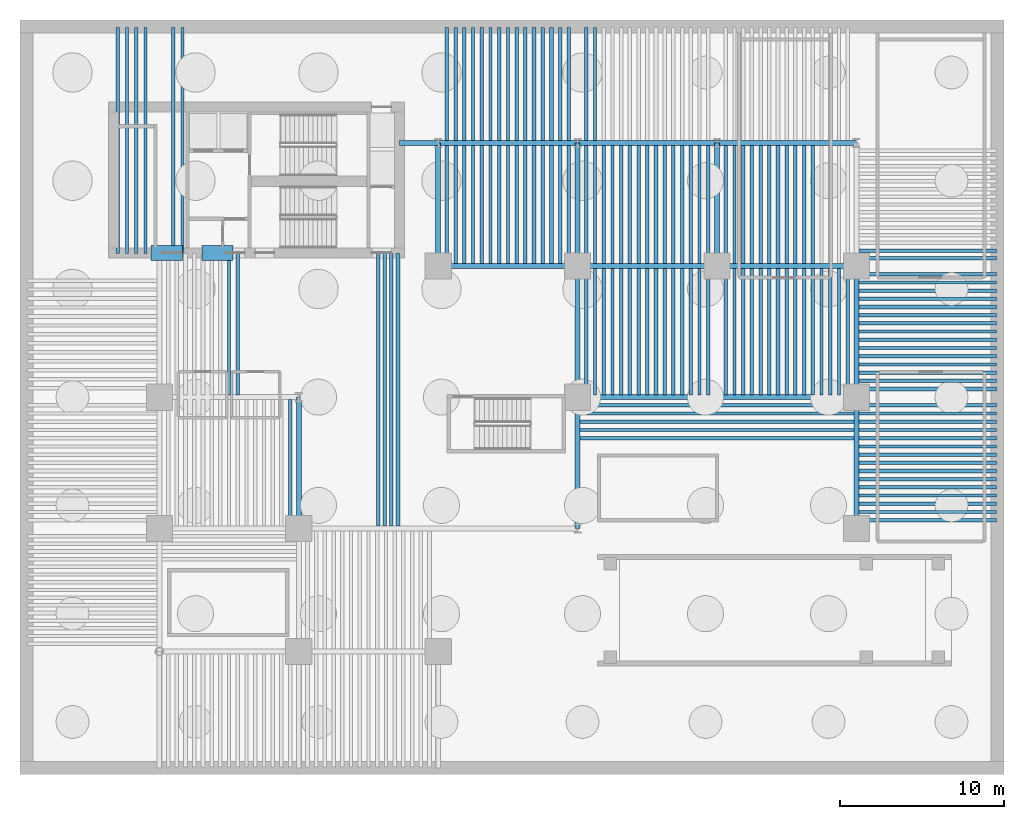
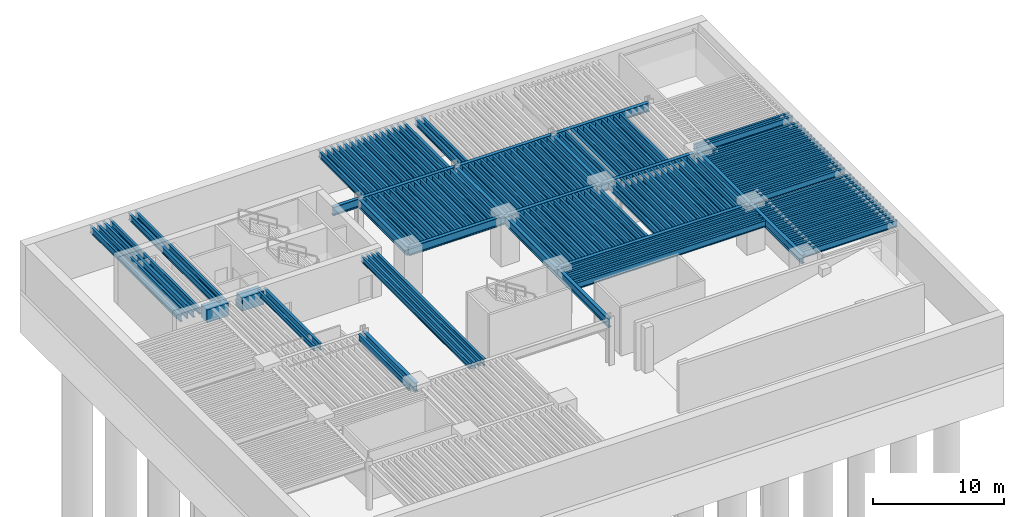
# One storey, part 3 of 11: 156 beams.
"""IFC4 building model written with IfcOpenShell, lengths in metres."""

from ifc_helpers import new_model, si_unit, direction, frame, origin, origin_2d, place, context, subcontext, project, spatial, rectangle, i_section, extrude, material, material_profile, profile_set, type_object, element, save


model = new_model("IFC4")

# Units and contexts
model_context = context("Model", 3, precision=1e-05, world=origin(), true_north=direction((0.0, 1.0)))
body_context = subcontext(model_context, "Body", "Model", "MODEL_VIEW")
ifc_project = project(units=[si_unit("LENGTHUNIT", "METRE"), si_unit("AREAUNIT", "SQUARE_METRE"), si_unit("VOLUMEUNIT", "CUBIC_METRE"), si_unit("PLANEANGLEUNIT", "RADIAN"), si_unit("MASSUNIT", "GRAM", prefix="KILO")], contexts=[model_context])

# Site, building, storey
site_placement = place(None, origin())
site = spatial("IfcSite", under=ifc_project, at=site_placement, CompositionType="ELEMENT")
building_placement = place(site_placement, origin())
building = spatial("IfcBuilding", under=site, at=building_placement, Name="Caeloran Harvest Quay", CompositionType="ELEMENT")
storey_placement = place(building_placement, frame((0.0, 0.0, -18.0)))
storey = spatial("IfcBuildingStorey", under=building, at=storey_placement, Name="B04", CompositionType="ELEMENT", Elevation=-18.0)

# Beams
ifc_material_1 = material(Name="Concrete C80/95", Category="concrete")
ifc_material_profile_1 = material_profile(ifc_material_1, rectangle(XDim=0.89990234375, YDim=1.199951171875, at=origin_2d()), Name="RC 900x1200")
ifc_profile_set_1 = profile_set([ifc_material_profile_1], Name="Concrete C80/95")
beam_type_1 = type_object("IfcBeamType", Name="BM-CB-1-RC_900x1200", PredefinedType="LINTEL", material=ifc_profile_set_1)
for number, where, z_axis, x_axis, name in (
    (1, (8.0, 31.800048828125, 3.534912109375), (1.0, 0.0, 0.0), (0.0, 1.0, 0.0), "B04 Core Coupling Beam 1"),
    (2, (11.10009765625, 31.800048828125, 3.534912109375), (1.0, 0.0, 0.0), (0.0, 1.0, 0.0), "B04 Core Coupling Beam 2"),
):
    element("IfcBeam", number, at=place(storey_placement, frame(where, z_axis=z_axis, x_axis=x_axis)), inside=storey, type_object=beam_type_1, Name=name, PredefinedType="LINTEL", context=body_context, shape_type="SweptSolid", body=[
        extrude(rectangle(XDim=0.89990234375, YDim=1.199951171875, at=origin_2d()), origin(), (0.0, 0.0, 1.0), 1.89990234375),
    ])
ifc_material_2 = material(Name="Steel S355J2", Category="steel")
ifc_material_profile_2 = material_profile(ifc_material_2, i_section(OverallWidth=0.300048828125, OverallDepth=0.800048828125, WebThickness=0.017578125, FlangeThickness=0.032958984375, FilletRadius=0.030029296875, at=origin_2d()), Name="HE 800 B")
ifc_profile_set_2 = profile_set([ifc_material_profile_2], Name="Steel S355J2")
beam_type_2 = type_object("IfcBeamType", Name="BM-PG-1-HE_800_B", PredefinedType="BEAM", material=ifc_profile_set_2)
beam_1_placement = place(storey_placement, frame((34.0, 23.0, 3.735107421875), z_axis=(1.0, 0.0, 0.0), x_axis=(0.0, 1.0, 0.0)))
element("IfcBeam", 3, at=beam_1_placement, inside=storey, type_object=beam_type_2, Name="B04 Primary East-West Girder Y=23.0", PredefinedType="BEAM", context=body_context, shape_type="SweptSolid", body=[
    extrude(i_section(OverallWidth=0.300048828125, OverallDepth=0.800048828125, WebThickness=0.017578125, FlangeThickness=0.032958984375, FilletRadius=0.030029296875, at=origin_2d()), origin(), (0.0, 0.0, 1.0), 17.0),
])
for number, where, z_axis, x_axis, name in (
    (4, (25.5, 31.0, 3.735107421875), (1.0, 0.0, 0.0), (0.0, 1.0, 0.0), "B04 Primary East-West Girder Y=31.0"),
    (5, (34.0, 31.0, 3.735107421875), (1.0, 0.0, 0.0), (0.0, 1.0, 0.0), "B04 Primary East-West Girder Y=31.0"),
    (6, (42.5, 31.0, 3.735107421875), (1.0, 0.0, 0.0), (0.0, 1.0, 0.0), "B04 Primary East-West Girder Y=31.0"),
    (7, (25.5, 38.5, 3.735107421875), (1.0, 0.0, 0.0), (0.0, 1.0, 0.0), "B04 Primary East-West Girder Y=38.5"),
    (8, (34.0, 38.5, 3.735107421875), (1.0, 0.0, 0.0), (0.0, 1.0, 0.0), "B04 Primary East-West Girder Y=38.5"),
    (9, (42.5, 38.5, 3.735107421875), (1.0, 0.0, 0.0), (0.0, 1.0, 0.0), "B04 Primary East-West Girder Y=38.5"),
):
    element("IfcBeam", number, at=place(storey_placement, frame(where, z_axis=z_axis, x_axis=x_axis)), inside=storey, type_object=beam_type_2, Name=name, PredefinedType="BEAM", context=body_context, shape_type="SweptSolid", body=[
        extrude(i_section(OverallWidth=0.300048828125, OverallDepth=0.800048828125, WebThickness=0.017578125, FlangeThickness=0.032958984375, FilletRadius=0.030029296875, at=origin_2d()), origin(), (0.0, 0.0, 1.0), 8.5),
    ])
beam_2_placement = place(storey_placement, frame((23.14990234375, 38.5, 3.735107421875), z_axis=(1.0, 0.0, 0.0), x_axis=(0.0, 1.0, 0.0)))
element("IfcBeam", 10, at=beam_2_placement, inside=storey, type_object=beam_type_2, Name="B04 Core East Tie Girder Y=38.5", PredefinedType="BEAM", context=body_context, shape_type="SweptSolid", body=[
    extrude(i_section(OverallWidth=0.300048828125, OverallDepth=0.800048828125, WebThickness=0.017578125, FlangeThickness=0.032958984375, FilletRadius=0.030029296875, at=origin_2d()), origin(), (0.0, 0.0, 1.0), 2.35009765625),
])
beam_3_placement = place(storey_placement, frame((17.0, 15.0, 3.735107421875), z_axis=(0.0, 1.0, 0.0), x_axis=(-1.0, 0.0, 0.0)))
element("IfcBeam", 11, at=beam_3_placement, inside=storey, type_object=beam_type_2, Name="B04 Primary North-South Girder X=17.0", PredefinedType="BEAM", context=body_context, shape_type="SweptSolid", body=[
    extrude(i_section(OverallWidth=0.300048828125, OverallDepth=0.800048828125, WebThickness=0.017578125, FlangeThickness=0.032958984375, FilletRadius=0.030029296875, at=origin_2d()), origin(), (0.0, 0.0, 1.0), 8.0),
])
beam_4_placement = place(storey_placement, frame((25.5, 31.0, 3.735107421875), z_axis=(0.0, 1.0, 0.0), x_axis=(-1.0, 0.0, 0.0)))
element("IfcBeam", 12, at=beam_4_placement, inside=storey, type_object=beam_type_2, Name="B04 Primary North-South Girder X=25.5", PredefinedType="BEAM", context=body_context, shape_type="SweptSolid", body=[
    extrude(i_section(OverallWidth=0.300048828125, OverallDepth=0.800048828125, WebThickness=0.017578125, FlangeThickness=0.032958984375, FilletRadius=0.030029296875, at=origin_2d()), origin(), (0.0, 0.0, 1.0), 7.5),
])
for number, where, z_axis, x_axis, name in (
    (13, (34.0, 15.0, 3.735107421875), (0.0, 1.0, 0.0), (-1.0, 0.0, 0.0), "B04 Primary North-South Girder X=34.0"),
    (14, (34.0, 23.0, 3.735107421875), (0.0, 1.0, 0.0), (-1.0, 0.0, 0.0), "B04 Primary North-South Girder X=34.0"),
):
    element("IfcBeam", number, at=place(storey_placement, frame(where, z_axis=z_axis, x_axis=x_axis)), inside=storey, type_object=beam_type_2, Name=name, PredefinedType="BEAM", context=body_context, shape_type="SweptSolid", body=[
        extrude(i_section(OverallWidth=0.300048828125, OverallDepth=0.800048828125, WebThickness=0.017578125, FlangeThickness=0.032958984375, FilletRadius=0.030029296875, at=origin_2d()), origin(), (0.0, 0.0, 1.0), 8.0),
    ])
for number, where, z_axis, x_axis, name in (
    (15, (34.0, 31.0, 3.735107421875), (0.0, 1.0, 0.0), (-1.0, 0.0, 0.0), "B04 Primary North-South Girder X=34.0"),
    (16, (42.5, 31.0, 3.735107421875), (0.0, 1.0, 0.0), (-1.0, 0.0, 0.0), "B04 Primary North-South Girder X=42.5"),
):
    element("IfcBeam", number, at=place(storey_placement, frame(where, z_axis=z_axis, x_axis=x_axis)), inside=storey, type_object=beam_type_2, Name=name, PredefinedType="BEAM", context=body_context, shape_type="SweptSolid", body=[
        extrude(i_section(OverallWidth=0.300048828125, OverallDepth=0.800048828125, WebThickness=0.017578125, FlangeThickness=0.032958984375, FilletRadius=0.030029296875, at=origin_2d()), origin(), (0.0, 0.0, 1.0), 7.5),
    ])
for number, where, z_axis, x_axis, name in (
    (17, (51.0, 15.0, 3.735107421875), (0.0, 1.0, 0.0), (-1.0, 0.0, 0.0), "B04 Primary North-South Girder X=51.0"),
    (18, (51.0, 23.0, 3.735107421875), (0.0, 1.0, 0.0), (-1.0, 0.0, 0.0), "B04 Primary North-South Girder X=51.0"),
):
    element("IfcBeam", number, at=place(storey_placement, frame(where, z_axis=z_axis, x_axis=x_axis)), inside=storey, type_object=beam_type_2, Name=name, PredefinedType="BEAM", context=body_context, shape_type="SweptSolid", body=[
        extrude(i_section(OverallWidth=0.300048828125, OverallDepth=0.800048828125, WebThickness=0.017578125, FlangeThickness=0.032958984375, FilletRadius=0.030029296875, at=origin_2d()), origin(), (0.0, 0.0, 1.0), 8.0),
    ])
ifc_material_profile_3 = material_profile(ifc_material_2, i_section(OverallWidth=0.219970703125, OverallDepth=0.60009765625, WebThickness=0.011962890625, FlangeThickness=0.01904296875, FilletRadius=0.02392578125, at=origin_2d()), Name="IPE 600")
ifc_profile_set_3 = profile_set([ifc_material_profile_3], Name="Steel S355J2")
beam_type_3 = type_object("IfcBeamType", Name="BM-SB-1-IPE_600", PredefinedType="JOIST", material=ifc_profile_set_3)
for number, where, z_axis, x_axis, name in (
    (19, (26.03125, 38.64501953125, 3.8349609375), (0.0, 1.0, 0.0), (-1.0, 0.0, 0.0), "B04 Secondary Composite Joist"),
    (20, (27.09375, 38.64501953125, 3.8349609375), (0.0, 1.0, 0.0), (-1.0, 0.0, 0.0), "B04 Secondary Composite Joist"),
    (21, (28.15625, 38.64501953125, 3.8349609375), (0.0, 1.0, 0.0), (-1.0, 0.0, 0.0), "B04 Secondary Composite Joist"),
    (22, (29.21875, 38.64501953125, 3.8349609375), (0.0, 1.0, 0.0), (-1.0, 0.0, 0.0), "B04 Secondary Composite Joist"),
    (23, (30.28125, 38.64501953125, 3.8349609375), (0.0, 1.0, 0.0), (-1.0, 0.0, 0.0), "B04 Secondary Composite Joist"),
    (24, (31.34375, 38.64501953125, 3.8349609375), (0.0, 1.0, 0.0), (-1.0, 0.0, 0.0), "B04 Secondary Composite Joist"),
    (25, (32.40625, 38.64501953125, 3.8349609375), (0.0, 1.0, 0.0), (-1.0, 0.0, 0.0), "B04 Secondary Composite Joist"),
    (26, (33.46875, 38.64501953125, 3.8349609375), (0.0, 1.0, 0.0), (-1.0, 0.0, 0.0), "B04 Secondary Composite Joist"),
    (27, (34.53125, 38.64501953125, 3.8349609375), (0.0, 1.0, 0.0), (-1.0, 0.0, 0.0), "B04 Secondary Composite Joist"),
):
    element("IfcBeam", number, at=place(storey_placement, frame(where, z_axis=z_axis, x_axis=x_axis)), inside=storey, type_object=beam_type_3, Name=name, PredefinedType="JOIST", context=body_context, shape_type="SweptSolid", body=[
        extrude(i_section(OverallWidth=0.219970703125, OverallDepth=0.60009765625, WebThickness=0.011962890625, FlangeThickness=0.01904296875, FilletRadius=0.02392578125, at=origin_2d()), origin(), (0.0, 0.0, 1.0), 6.905029296875),
    ])
for number, where, z_axis, x_axis, name in (
    (28, (26.03125, 31.14501953125, 3.8349609375), (0.0, 1.0, 0.0), (-1.0, 0.0, 0.0), "B04 Secondary Composite Joist"),
    (29, (27.09375, 31.14501953125, 3.8349609375), (0.0, 1.0, 0.0), (-1.0, 0.0, 0.0), "B04 Secondary Composite Joist"),
    (30, (28.15625, 31.14501953125, 3.8349609375), (0.0, 1.0, 0.0), (-1.0, 0.0, 0.0), "B04 Secondary Composite Joist"),
    (31, (29.21875, 31.14501953125, 3.8349609375), (0.0, 1.0, 0.0), (-1.0, 0.0, 0.0), "B04 Secondary Composite Joist"),
    (32, (30.28125, 31.14501953125, 3.8349609375), (0.0, 1.0, 0.0), (-1.0, 0.0, 0.0), "B04 Secondary Composite Joist"),
    (33, (31.34375, 31.14501953125, 3.8349609375), (0.0, 1.0, 0.0), (-1.0, 0.0, 0.0), "B04 Secondary Composite Joist"),
    (34, (32.40625, 31.14501953125, 3.8349609375), (0.0, 1.0, 0.0), (-1.0, 0.0, 0.0), "B04 Secondary Composite Joist"),
    (35, (33.46875, 31.14501953125, 3.8349609375), (0.0, 1.0, 0.0), (-1.0, 0.0, 0.0), "B04 Secondary Composite Joist"),
    (36, (34.53125, 31.14501953125, 3.8349609375), (0.0, 1.0, 0.0), (-1.0, 0.0, 0.0), "B04 Secondary Composite Joist"),
    (37, (35.59375, 31.14501953125, 3.8349609375), (0.0, 1.0, 0.0), (-1.0, 0.0, 0.0), "B04 Secondary Composite Joist"),
    (38, (36.65625, 31.14501953125, 3.8349609375), (0.0, 1.0, 0.0), (-1.0, 0.0, 0.0), "B04 Secondary Composite Joist"),
    (39, (37.71875, 31.14501953125, 3.8349609375), (0.0, 1.0, 0.0), (-1.0, 0.0, 0.0), "B04 Secondary Composite Joist"),
    (40, (38.78125, 31.14501953125, 3.8349609375), (0.0, 1.0, 0.0), (-1.0, 0.0, 0.0), "B04 Secondary Composite Joist"),
    (41, (39.84375, 31.14501953125, 3.8349609375), (0.0, 1.0, 0.0), (-1.0, 0.0, 0.0), "B04 Secondary Composite Joist"),
    (42, (40.90625, 31.14501953125, 3.8349609375), (0.0, 1.0, 0.0), (-1.0, 0.0, 0.0), "B04 Secondary Composite Joist"),
    (43, (41.96875, 31.14501953125, 3.8349609375), (0.0, 1.0, 0.0), (-1.0, 0.0, 0.0), "B04 Secondary Composite Joist"),
    (44, (43.03125, 31.14501953125, 3.8349609375), (0.0, 1.0, 0.0), (-1.0, 0.0, 0.0), "B04 Secondary Composite Joist"),
    (45, (44.09375, 31.14501953125, 3.8349609375), (0.0, 1.0, 0.0), (-1.0, 0.0, 0.0), "B04 Secondary Composite Joist"),
    (46, (45.15625, 31.14501953125, 3.8349609375), (0.0, 1.0, 0.0), (-1.0, 0.0, 0.0), "B04 Secondary Composite Joist"),
    (47, (46.21875, 31.14501953125, 3.8349609375), (0.0, 1.0, 0.0), (-1.0, 0.0, 0.0), "B04 Secondary Composite Joist"),
    (48, (47.28125, 31.14501953125, 3.8349609375), (0.0, 1.0, 0.0), (-1.0, 0.0, 0.0), "B04 Secondary Composite Joist"),
    (49, (48.34375, 31.14501953125, 3.8349609375), (0.0, 1.0, 0.0), (-1.0, 0.0, 0.0), "B04 Secondary Composite Joist"),
):
    element("IfcBeam", number, at=place(storey_placement, frame(where, z_axis=z_axis, x_axis=x_axis)), inside=storey, type_object=beam_type_3, Name=name, PredefinedType="JOIST", context=body_context, shape_type="SweptSolid", body=[
        extrude(i_section(OverallWidth=0.219970703125, OverallDepth=0.60009765625, WebThickness=0.011962890625, FlangeThickness=0.01904296875, FilletRadius=0.02392578125, at=origin_2d()), origin(), (0.0, 0.0, 1.0), 7.2099609375),
    ])
for number, where, z_axis, x_axis, name in (
    (50, (16.46875, 15.14501953125, 3.8349609375), (0.0, 1.0, 0.0), (-1.0, 0.0, 0.0), "B04 Secondary Composite Joist"),
    (51, (34.53125, 23.14501953125, 3.8349609375), (0.0, 1.0, 0.0), (-1.0, 0.0, 0.0), "B04 Secondary Composite Joist"),
    (52, (35.59375, 23.14501953125, 3.8349609375), (0.0, 1.0, 0.0), (-1.0, 0.0, 0.0), "B04 Secondary Composite Joist"),
    (53, (36.65625, 23.14501953125, 3.8349609375), (0.0, 1.0, 0.0), (-1.0, 0.0, 0.0), "B04 Secondary Composite Joist"),
    (54, (37.71875, 23.14501953125, 3.8349609375), (0.0, 1.0, 0.0), (-1.0, 0.0, 0.0), "B04 Secondary Composite Joist"),
    (55, (38.78125, 23.14501953125, 3.8349609375), (0.0, 1.0, 0.0), (-1.0, 0.0, 0.0), "B04 Secondary Composite Joist"),
    (56, (39.84375, 23.14501953125, 3.8349609375), (0.0, 1.0, 0.0), (-1.0, 0.0, 0.0), "B04 Secondary Composite Joist"),
    (57, (40.90625, 23.14501953125, 3.8349609375), (0.0, 1.0, 0.0), (-1.0, 0.0, 0.0), "B04 Secondary Composite Joist"),
    (58, (41.96875, 23.14501953125, 3.8349609375), (0.0, 1.0, 0.0), (-1.0, 0.0, 0.0), "B04 Secondary Composite Joist"),
    (59, (43.03125, 23.14501953125, 3.8349609375), (0.0, 1.0, 0.0), (-1.0, 0.0, 0.0), "B04 Secondary Composite Joist"),
    (60, (44.09375, 23.14501953125, 3.8349609375), (0.0, 1.0, 0.0), (-1.0, 0.0, 0.0), "B04 Secondary Composite Joist"),
    (61, (45.15625, 23.14501953125, 3.8349609375), (0.0, 1.0, 0.0), (-1.0, 0.0, 0.0), "B04 Secondary Composite Joist"),
    (62, (46.21875, 23.14501953125, 3.8349609375), (0.0, 1.0, 0.0), (-1.0, 0.0, 0.0), "B04 Secondary Composite Joist"),
    (63, (47.28125, 23.14501953125, 3.8349609375), (0.0, 1.0, 0.0), (-1.0, 0.0, 0.0), "B04 Secondary Composite Joist"),
    (64, (48.34375, 23.14501953125, 3.8349609375), (0.0, 1.0, 0.0), (-1.0, 0.0, 0.0), "B04 Secondary Composite Joist"),
    (65, (49.40625, 23.14501953125, 3.8349609375), (0.0, 1.0, 0.0), (-1.0, 0.0, 0.0), "B04 Secondary Composite Joist"),
    (66, (50.46875, 23.14501953125, 3.8349609375), (0.0, 1.0, 0.0), (-1.0, 0.0, 0.0), "B04 Secondary Composite Joist"),
):
    element("IfcBeam", number, at=place(storey_placement, frame(where, z_axis=z_axis, x_axis=x_axis)), inside=storey, type_object=beam_type_3, Name=name, PredefinedType="JOIST", context=body_context, shape_type="SweptSolid", body=[
        extrude(i_section(OverallWidth=0.219970703125, OverallDepth=0.60009765625, WebThickness=0.011962890625, FlangeThickness=0.01904296875, FilletRadius=0.02392578125, at=origin_2d()), origin(), (0.0, 0.0, 1.0), 7.7099609375),
    ])
beam_5_placement = place(storey_placement, frame((13.28125, 23.14501953125, 3.8349609375), z_axis=(0.0, 1.0, 0.0), x_axis=(-1.0, 0.0, 0.0)))
element("IfcBeam", 67, at=beam_5_placement, inside=storey, type_object=beam_type_3, Name="B04 Secondary Composite Joist", PredefinedType="JOIST", context=body_context, shape_type="SweptSolid", body=[
    extrude(i_section(OverallWidth=0.219970703125, OverallDepth=0.60009765625, WebThickness=0.011962890625, FlangeThickness=0.01904296875, FilletRadius=0.02392578125, at=origin_2d()), origin(), (0.0, 0.0, 1.0), 8.60498046875),
])
for number, where, z_axis, x_axis, name in (
    (68, (5.964111328125, 31.75, 3.8349609375), (0.0, 1.0, 0.0), (-1.0, 0.0, 0.0), "B04 Secondary Composite Joist"),
    (69, (7.09228515625, 31.75, 3.8349609375), (0.0, 1.0, 0.0), (-1.0, 0.0, 0.0), "B04 Secondary Composite Joist"),
    (70, (9.348388671875, 31.75, 3.8349609375), (0.0, 1.0, 0.0), (-1.0, 0.0, 0.0), "B04 Secondary Composite Joist"),
):
    element("IfcBeam", number, at=place(storey_placement, frame(where, z_axis=z_axis, x_axis=x_axis)), inside=storey, type_object=beam_type_3, Name=name, PredefinedType="JOIST", context=body_context, shape_type="SweptSolid", body=[
        extrude(i_section(OverallWidth=0.219970703125, OverallDepth=0.60009765625, WebThickness=0.011962890625, FlangeThickness=0.01904296875, FilletRadius=0.02392578125, at=origin_2d()), origin(), (0.0, 0.0, 1.0), 13.800048828125),
    ])
for number, where, z_axis, x_axis, name in (
    (71, (22.240478515625, 15.14501953125, 3.8349609375), (0.0, 1.0, 0.0), (-1.0, 0.0, 0.0), "B04 Secondary Composite Joist"),
    (72, (23.046875, 15.14501953125, 3.8349609375), (0.0, 1.0, 0.0), (-1.0, 0.0, 0.0), "B04 Secondary Composite Joist"),
):
    element("IfcBeam", number, at=place(storey_placement, frame(where, z_axis=z_axis, x_axis=x_axis)), inside=storey, type_object=beam_type_3, Name=name, PredefinedType="JOIST", context=body_context, shape_type="SweptSolid", body=[
        extrude(i_section(OverallWidth=0.219970703125, OverallDepth=0.60009765625, WebThickness=0.011962890625, FlangeThickness=0.01904296875, FilletRadius=0.02392578125, at=origin_2d()), origin(), (0.0, 0.0, 1.0), 16.60498046875),
    ])
for number, where, z_axis, x_axis, name in (
    (73, (51.14501953125, 15.5, 3.8349609375), (1.0, 0.0, 0.0), (0.0, 1.0, 0.0), "B04 Secondary East-West Composite Joist"),
    (74, (51.14501953125, 16.5, 3.8349609375), (1.0, 0.0, 0.0), (0.0, 1.0, 0.0), "B04 Secondary East-West Composite Joist"),
    (75, (51.14501953125, 17.5, 3.8349609375), (1.0, 0.0, 0.0), (0.0, 1.0, 0.0), "B04 Secondary East-West Composite Joist"),
    (76, (51.14501953125, 18.5, 3.8349609375), (1.0, 0.0, 0.0), (0.0, 1.0, 0.0), "B04 Secondary East-West Composite Joist"),
    (77, (51.14501953125, 19.5, 3.8349609375), (1.0, 0.0, 0.0), (0.0, 1.0, 0.0), "B04 Secondary East-West Composite Joist"),
    (78, (51.14501953125, 20.5, 3.8349609375), (1.0, 0.0, 0.0), (0.0, 1.0, 0.0), "B04 Secondary East-West Composite Joist"),
    (79, (51.14501953125, 21.5, 3.8349609375), (1.0, 0.0, 0.0), (0.0, 1.0, 0.0), "B04 Secondary East-West Composite Joist"),
    (80, (51.14501953125, 22.5, 3.8349609375), (1.0, 0.0, 0.0), (0.0, 1.0, 0.0), "B04 Secondary East-West Composite Joist"),
    (81, (51.14501953125, 23.5, 3.8349609375), (1.0, 0.0, 0.0), (0.0, 1.0, 0.0), "B04 Secondary East-West Composite Joist"),
    (82, (51.14501953125, 24.5, 3.8349609375), (1.0, 0.0, 0.0), (0.0, 1.0, 0.0), "B04 Secondary East-West Composite Joist"),
    (83, (51.14501953125, 25.5, 3.8349609375), (1.0, 0.0, 0.0), (0.0, 1.0, 0.0), "B04 Secondary East-West Composite Joist"),
    (84, (51.14501953125, 26.5, 3.8349609375), (1.0, 0.0, 0.0), (0.0, 1.0, 0.0), "B04 Secondary East-West Composite Joist"),
    (85, (51.14501953125, 27.5, 3.8349609375), (1.0, 0.0, 0.0), (0.0, 1.0, 0.0), "B04 Secondary East-West Composite Joist"),
    (86, (51.14501953125, 28.5, 3.8349609375), (1.0, 0.0, 0.0), (0.0, 1.0, 0.0), "B04 Secondary East-West Composite Joist"),
    (87, (51.14501953125, 29.5, 3.8349609375), (1.0, 0.0, 0.0), (0.0, 1.0, 0.0), "B04 Secondary East-West Composite Joist"),
    (88, (51.14501953125, 30.5, 3.8349609375), (1.0, 0.0, 0.0), (0.0, 1.0, 0.0), "B04 Secondary East-West Composite Joist"),
    (89, (51.14501953125, 31.46875, 3.8349609375), (1.0, 0.0, 0.0), (0.0, 1.0, 0.0), "B04 Secondary East-West Composite Joist"),
):
    element("IfcBeam", number, at=place(storey_placement, frame(where, z_axis=z_axis, x_axis=x_axis)), inside=storey, type_object=beam_type_3, Name=name, PredefinedType="JOIST", context=body_context, shape_type="SweptSolid", body=[
        extrude(i_section(OverallWidth=0.219970703125, OverallDepth=0.60009765625, WebThickness=0.011962890625, FlangeThickness=0.01904296875, FilletRadius=0.02392578125, at=origin_2d()), origin(), (0.0, 0.0, 1.0), 8.405029296875),
    ])
for number, where, z_axis, x_axis, name in (
    (90, (34.14501953125, 20.5, 3.8349609375), (1.0, 0.0, 0.0), (0.0, 1.0, 0.0), "B04 Secondary East-West Composite Joist"),
    (91, (34.14501953125, 21.5, 3.8349609375), (1.0, 0.0, 0.0), (0.0, 1.0, 0.0), "B04 Secondary East-West Composite Joist"),
    (92, (34.14501953125, 22.5, 3.8349609375), (1.0, 0.0, 0.0), (0.0, 1.0, 0.0), "B04 Secondary East-West Composite Joist"),
):
    element("IfcBeam", number, at=place(storey_placement, frame(where, z_axis=z_axis, x_axis=x_axis)), inside=storey, type_object=beam_type_3, Name=name, PredefinedType="JOIST", context=body_context, shape_type="SweptSolid", body=[
        extrude(i_section(OverallWidth=0.219970703125, OverallDepth=0.60009765625, WebThickness=0.011962890625, FlangeThickness=0.01904296875, FilletRadius=0.02392578125, at=origin_2d()), origin(), (0.0, 0.0, 1.0), 16.7099609375),
    ])
ifc_material_profile_4 = material_profile(ifc_material_2, i_section(OverallWidth=0.199951171875, OverallDepth=0.5, WebThickness=0.01025390625, FlangeThickness=0.01611328125, FilletRadius=0.02099609375, at=origin_2d()), Name="IPE 500")
ifc_profile_set_4 = profile_set([ifc_material_profile_4], Name="Steel S355J2")
beam_type_4 = type_object("IfcBeamType", Name="BM-SB-2-IPE_500", PredefinedType="JOIST", material=ifc_profile_set_4)
for number, where, z_axis, x_axis, name in (
    (93, (26.5625, 38.64501953125, 3.885009765625), (0.0, 1.0, 0.0), (-1.0, 0.0, 0.0), "B04 Secondary Composite Joist"),
    (94, (27.625, 38.64501953125, 3.885009765625), (0.0, 1.0, 0.0), (-1.0, 0.0, 0.0), "B04 Secondary Composite Joist"),
    (95, (28.6875, 38.64501953125, 3.885009765625), (0.0, 1.0, 0.0), (-1.0, 0.0, 0.0), "B04 Secondary Composite Joist"),
    (96, (29.75, 38.64501953125, 3.885009765625), (0.0, 1.0, 0.0), (-1.0, 0.0, 0.0), "B04 Secondary Composite Joist"),
    (97, (30.8125, 38.64501953125, 3.885009765625), (0.0, 1.0, 0.0), (-1.0, 0.0, 0.0), "B04 Secondary Composite Joist"),
    (98, (31.875, 38.64501953125, 3.885009765625), (0.0, 1.0, 0.0), (-1.0, 0.0, 0.0), "B04 Secondary Composite Joist"),
    (99, (32.9375, 38.64501953125, 3.885009765625), (0.0, 1.0, 0.0), (-1.0, 0.0, 0.0), "B04 Secondary Composite Joist"),
    (100, (35.0625, 38.64501953125, 3.885009765625), (0.0, 1.0, 0.0), (-1.0, 0.0, 0.0), "B04 Secondary Composite Joist"),
):
    element("IfcBeam", number, at=place(storey_placement, frame(where, z_axis=z_axis, x_axis=x_axis)), inside=storey, type_object=beam_type_4, Name=name, PredefinedType="JOIST", context=body_context, shape_type="SweptSolid", body=[
        extrude(i_section(OverallWidth=0.199951171875, OverallDepth=0.5, WebThickness=0.01025390625, FlangeThickness=0.01611328125, FilletRadius=0.02099609375, at=origin_2d()), origin(), (0.0, 0.0, 1.0), 6.905029296875),
    ])
for number, where, z_axis, x_axis, name in (
    (101, (26.5625, 31.14501953125, 3.885009765625), (0.0, 1.0, 0.0), (-1.0, 0.0, 0.0), "B04 Secondary Composite Joist"),
    (102, (27.625, 31.14501953125, 3.885009765625), (0.0, 1.0, 0.0), (-1.0, 0.0, 0.0), "B04 Secondary Composite Joist"),
    (103, (28.6875, 31.14501953125, 3.885009765625), (0.0, 1.0, 0.0), (-1.0, 0.0, 0.0), "B04 Secondary Composite Joist"),
    (104, (29.75, 31.14501953125, 3.885009765625), (0.0, 1.0, 0.0), (-1.0, 0.0, 0.0), "B04 Secondary Composite Joist"),
    (105, (30.8125, 31.14501953125, 3.885009765625), (0.0, 1.0, 0.0), (-1.0, 0.0, 0.0), "B04 Secondary Composite Joist"),
    (106, (31.875, 31.14501953125, 3.885009765625), (0.0, 1.0, 0.0), (-1.0, 0.0, 0.0), "B04 Secondary Composite Joist"),
    (107, (32.9375, 31.14501953125, 3.885009765625), (0.0, 1.0, 0.0), (-1.0, 0.0, 0.0), "B04 Secondary Composite Joist"),
    (108, (35.0625, 31.14501953125, 3.885009765625), (0.0, 1.0, 0.0), (-1.0, 0.0, 0.0), "B04 Secondary Composite Joist"),
    (109, (36.125, 31.14501953125, 3.885009765625), (0.0, 1.0, 0.0), (-1.0, 0.0, 0.0), "B04 Secondary Composite Joist"),
    (110, (37.1875, 31.14501953125, 3.885009765625), (0.0, 1.0, 0.0), (-1.0, 0.0, 0.0), "B04 Secondary Composite Joist"),
    (111, (38.25, 31.14501953125, 3.885009765625), (0.0, 1.0, 0.0), (-1.0, 0.0, 0.0), "B04 Secondary Composite Joist"),
    (112, (39.3125, 31.14501953125, 3.885009765625), (0.0, 1.0, 0.0), (-1.0, 0.0, 0.0), "B04 Secondary Composite Joist"),
    (113, (40.375, 31.14501953125, 3.885009765625), (0.0, 1.0, 0.0), (-1.0, 0.0, 0.0), "B04 Secondary Composite Joist"),
    (114, (41.4375, 31.14501953125, 3.885009765625), (0.0, 1.0, 0.0), (-1.0, 0.0, 0.0), "B04 Secondary Composite Joist"),
    (115, (43.5625, 31.14501953125, 3.885009765625), (0.0, 1.0, 0.0), (-1.0, 0.0, 0.0), "B04 Secondary Composite Joist"),
    (116, (44.625, 31.14501953125, 3.885009765625), (0.0, 1.0, 0.0), (-1.0, 0.0, 0.0), "B04 Secondary Composite Joist"),
    (117, (45.6875, 31.14501953125, 3.885009765625), (0.0, 1.0, 0.0), (-1.0, 0.0, 0.0), "B04 Secondary Composite Joist"),
    (118, (46.75, 31.14501953125, 3.885009765625), (0.0, 1.0, 0.0), (-1.0, 0.0, 0.0), "B04 Secondary Composite Joist"),
    (119, (47.8125, 31.14501953125, 3.885009765625), (0.0, 1.0, 0.0), (-1.0, 0.0, 0.0), "B04 Secondary Composite Joist"),
):
    element("IfcBeam", number, at=place(storey_placement, frame(where, z_axis=z_axis, x_axis=x_axis)), inside=storey, type_object=beam_type_4, Name=name, PredefinedType="JOIST", context=body_context, shape_type="SweptSolid", body=[
        extrude(i_section(OverallWidth=0.199951171875, OverallDepth=0.5, WebThickness=0.01025390625, FlangeThickness=0.01611328125, FilletRadius=0.02099609375, at=origin_2d()), origin(), (0.0, 0.0, 1.0), 7.2099609375),
    ])
for number, where, z_axis, x_axis, name in (
    (120, (35.0625, 23.14501953125, 3.885009765625), (0.0, 1.0, 0.0), (-1.0, 0.0, 0.0), "B04 Secondary Composite Joist"),
    (121, (36.125, 23.14501953125, 3.885009765625), (0.0, 1.0, 0.0), (-1.0, 0.0, 0.0), "B04 Secondary Composite Joist"),
    (122, (37.1875, 23.14501953125, 3.885009765625), (0.0, 1.0, 0.0), (-1.0, 0.0, 0.0), "B04 Secondary Composite Joist"),
    (123, (38.25, 23.14501953125, 3.885009765625), (0.0, 1.0, 0.0), (-1.0, 0.0, 0.0), "B04 Secondary Composite Joist"),
    (124, (39.3125, 23.14501953125, 3.885009765625), (0.0, 1.0, 0.0), (-1.0, 0.0, 0.0), "B04 Secondary Composite Joist"),
    (125, (40.375, 23.14501953125, 3.885009765625), (0.0, 1.0, 0.0), (-1.0, 0.0, 0.0), "B04 Secondary Composite Joist"),
    (126, (41.4375, 23.14501953125, 3.885009765625), (0.0, 1.0, 0.0), (-1.0, 0.0, 0.0), "B04 Secondary Composite Joist"),
    (127, (43.5625, 23.14501953125, 3.885009765625), (0.0, 1.0, 0.0), (-1.0, 0.0, 0.0), "B04 Secondary Composite Joist"),
    (128, (44.625, 23.14501953125, 3.885009765625), (0.0, 1.0, 0.0), (-1.0, 0.0, 0.0), "B04 Secondary Composite Joist"),
    (129, (45.6875, 23.14501953125, 3.885009765625), (0.0, 1.0, 0.0), (-1.0, 0.0, 0.0), "B04 Secondary Composite Joist"),
    (130, (46.75, 23.14501953125, 3.885009765625), (0.0, 1.0, 0.0), (-1.0, 0.0, 0.0), "B04 Secondary Composite Joist"),
    (131, (47.8125, 23.14501953125, 3.885009765625), (0.0, 1.0, 0.0), (-1.0, 0.0, 0.0), "B04 Secondary Composite Joist"),
    (132, (48.875, 23.14501953125, 3.885009765625), (0.0, 1.0, 0.0), (-1.0, 0.0, 0.0), "B04 Secondary Composite Joist"),
    (133, (49.9375, 23.14501953125, 3.885009765625), (0.0, 1.0, 0.0), (-1.0, 0.0, 0.0), "B04 Secondary Composite Joist"),
):
    element("IfcBeam", number, at=place(storey_placement, frame(where, z_axis=z_axis, x_axis=x_axis)), inside=storey, type_object=beam_type_4, Name=name, PredefinedType="JOIST", context=body_context, shape_type="SweptSolid", body=[
        extrude(i_section(OverallWidth=0.199951171875, OverallDepth=0.5, WebThickness=0.01025390625, FlangeThickness=0.01611328125, FilletRadius=0.02099609375, at=origin_2d()), origin(), (0.0, 0.0, 1.0), 7.7099609375),
    ])
beam_6_placement = place(storey_placement, frame((12.75, 23.14501953125, 3.885009765625), z_axis=(0.0, 1.0, 0.0), x_axis=(-1.0, 0.0, 0.0)))
element("IfcBeam", 134, at=beam_6_placement, inside=storey, type_object=beam_type_4, Name="B04 Secondary Composite Joist", PredefinedType="JOIST", context=body_context, shape_type="SweptSolid", body=[
    extrude(i_section(OverallWidth=0.199951171875, OverallDepth=0.5, WebThickness=0.01025390625, FlangeThickness=0.01611328125, FilletRadius=0.02099609375, at=origin_2d()), origin(), (0.0, 0.0, 1.0), 8.60498046875),
])
for number, where, z_axis, x_axis, name in (
    (135, (6.528076171875, 31.75, 3.885009765625), (0.0, 1.0, 0.0), (-1.0, 0.0, 0.0), "B04 Secondary Composite Joist"),
    (136, (7.65625, 31.75, 3.885009765625), (0.0, 1.0, 0.0), (-1.0, 0.0, 0.0), "B04 Secondary Composite Joist"),
    (137, (9.91259765625, 31.75, 3.885009765625), (0.0, 1.0, 0.0), (-1.0, 0.0, 0.0), "B04 Secondary Composite Joist"),
):
    element("IfcBeam", number, at=place(storey_placement, frame(where, z_axis=z_axis, x_axis=x_axis)), inside=storey, type_object=beam_type_4, Name=name, PredefinedType="JOIST", context=body_context, shape_type="SweptSolid", body=[
        extrude(i_section(OverallWidth=0.199951171875, OverallDepth=0.5, WebThickness=0.01025390625, FlangeThickness=0.01611328125, FilletRadius=0.02099609375, at=origin_2d()), origin(), (0.0, 0.0, 1.0), 13.800048828125),
    ])
for number, where, z_axis, x_axis, name in (
    (138, (21.83740234375, 15.14501953125, 3.885009765625), (0.0, 1.0, 0.0), (-1.0, 0.0, 0.0), "B04 Secondary Composite Joist"),
    (139, (22.643798828125, 15.14501953125, 3.885009765625), (0.0, 1.0, 0.0), (-1.0, 0.0, 0.0), "B04 Secondary Composite Joist"),
):
    element("IfcBeam", number, at=place(storey_placement, frame(where, z_axis=z_axis, x_axis=x_axis)), inside=storey, type_object=beam_type_4, Name=name, PredefinedType="JOIST", context=body_context, shape_type="SweptSolid", body=[
        extrude(i_section(OverallWidth=0.199951171875, OverallDepth=0.5, WebThickness=0.01025390625, FlangeThickness=0.01611328125, FilletRadius=0.02099609375, at=origin_2d()), origin(), (0.0, 0.0, 1.0), 16.60498046875),
    ])
for number, where, z_axis, x_axis, name in (
    (140, (51.14501953125, 16.0, 3.885009765625), (1.0, 0.0, 0.0), (0.0, 1.0, 0.0), "B04 Secondary East-West Composite Joist"),
    (141, (51.14501953125, 17.0, 3.885009765625), (1.0, 0.0, 0.0), (0.0, 1.0, 0.0), "B04 Secondary East-West Composite Joist"),
    (142, (51.14501953125, 18.0, 3.885009765625), (1.0, 0.0, 0.0), (0.0, 1.0, 0.0), "B04 Secondary East-West Composite Joist"),
    (143, (51.14501953125, 19.0, 3.885009765625), (1.0, 0.0, 0.0), (0.0, 1.0, 0.0), "B04 Secondary East-West Composite Joist"),
    (144, (51.14501953125, 20.0, 3.885009765625), (1.0, 0.0, 0.0), (0.0, 1.0, 0.0), "B04 Secondary East-West Composite Joist"),
    (145, (51.14501953125, 21.0, 3.885009765625), (1.0, 0.0, 0.0), (0.0, 1.0, 0.0), "B04 Secondary East-West Composite Joist"),
    (146, (51.14501953125, 22.0, 3.885009765625), (1.0, 0.0, 0.0), (0.0, 1.0, 0.0), "B04 Secondary East-West Composite Joist"),
    (147, (51.14501953125, 24.0, 3.885009765625), (1.0, 0.0, 0.0), (0.0, 1.0, 0.0), "B04 Secondary East-West Composite Joist"),
    (148, (51.14501953125, 25.0, 3.885009765625), (1.0, 0.0, 0.0), (0.0, 1.0, 0.0), "B04 Secondary East-West Composite Joist"),
    (149, (51.14501953125, 26.0, 3.885009765625), (1.0, 0.0, 0.0), (0.0, 1.0, 0.0), "B04 Secondary East-West Composite Joist"),
    (150, (51.14501953125, 27.0, 3.885009765625), (1.0, 0.0, 0.0), (0.0, 1.0, 0.0), "B04 Secondary East-West Composite Joist"),
    (151, (51.14501953125, 28.0, 3.885009765625), (1.0, 0.0, 0.0), (0.0, 1.0, 0.0), "B04 Secondary East-West Composite Joist"),
    (152, (51.14501953125, 29.0, 3.885009765625), (1.0, 0.0, 0.0), (0.0, 1.0, 0.0), "B04 Secondary East-West Composite Joist"),
    (153, (51.14501953125, 30.0, 3.885009765625), (1.0, 0.0, 0.0), (0.0, 1.0, 0.0), "B04 Secondary East-West Composite Joist"),
    (154, (51.14501953125, 31.9375, 3.885009765625), (1.0, 0.0, 0.0), (0.0, 1.0, 0.0), "B04 Secondary East-West Composite Joist"),
):
    element("IfcBeam", number, at=place(storey_placement, frame(where, z_axis=z_axis, x_axis=x_axis)), inside=storey, type_object=beam_type_4, Name=name, PredefinedType="JOIST", context=body_context, shape_type="SweptSolid", body=[
        extrude(i_section(OverallWidth=0.199951171875, OverallDepth=0.5, WebThickness=0.01025390625, FlangeThickness=0.01611328125, FilletRadius=0.02099609375, at=origin_2d()), origin(), (0.0, 0.0, 1.0), 8.405029296875),
    ])
for number, where, z_axis, x_axis, name in (
    (155, (34.14501953125, 21.0, 3.885009765625), (1.0, 0.0, 0.0), (0.0, 1.0, 0.0), "B04 Secondary East-West Composite Joist"),
    (156, (34.14501953125, 22.0, 3.885009765625), (1.0, 0.0, 0.0), (0.0, 1.0, 0.0), "B04 Secondary East-West Composite Joist"),
):
    element("IfcBeam", number, at=place(storey_placement, frame(where, z_axis=z_axis, x_axis=x_axis)), inside=storey, type_object=beam_type_4, Name=name, PredefinedType="JOIST", context=body_context, shape_type="SweptSolid", body=[
        extrude(i_section(OverallWidth=0.199951171875, OverallDepth=0.5, WebThickness=0.01025390625, FlangeThickness=0.01611328125, FilletRadius=0.02099609375, at=origin_2d()), origin(), (0.0, 0.0, 1.0), 16.7099609375),
    ])

save(model, "model.ifc")
